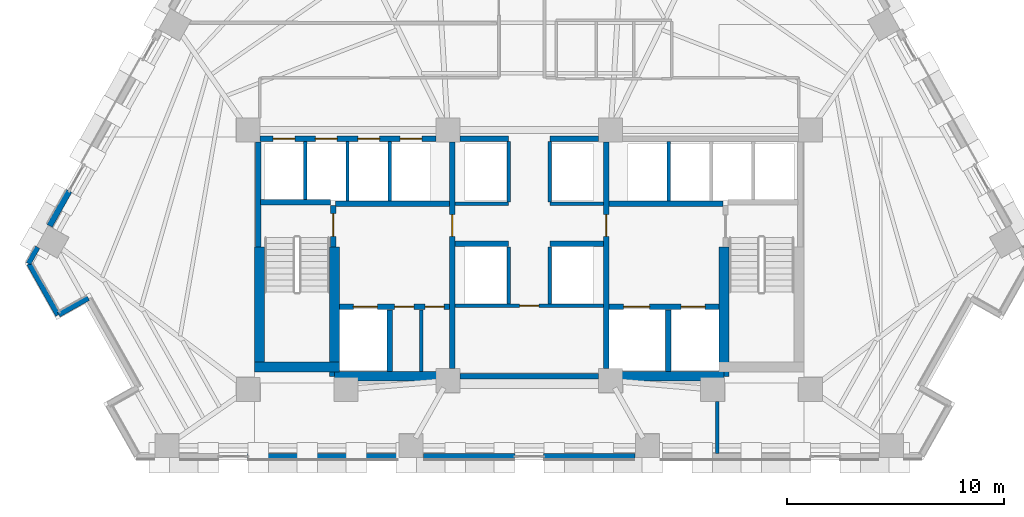
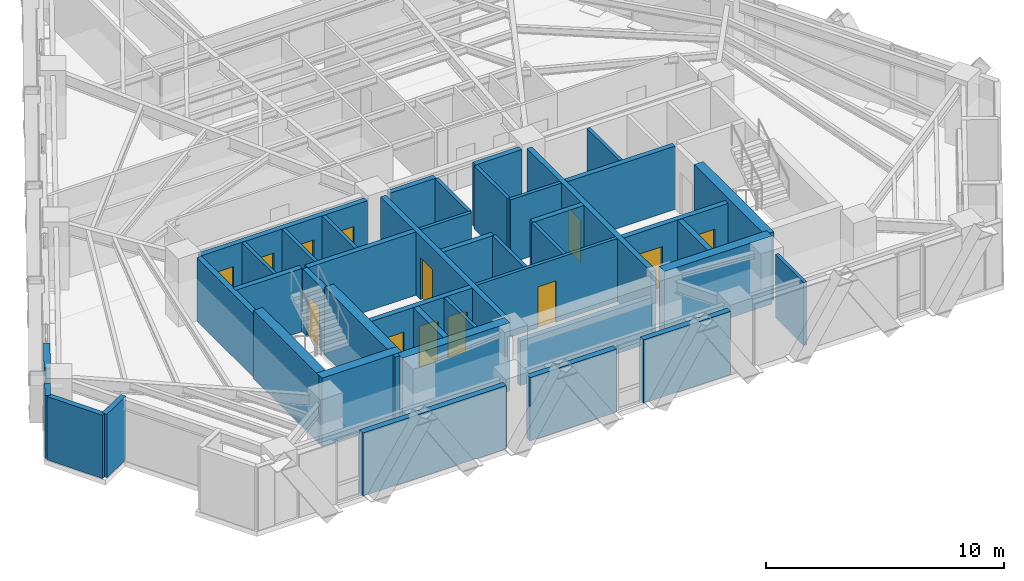
# One storey, part 7 of 13: 43 walls, 13 doors, 13 openings.
"""IFC4 building model written with IfcOpenShell, lengths in metres."""

import ifcopenshell
import ifcopenshell.guid

model = None  # the IFC model being written
_history = None  # IfcOwnerHistory: only IFC2X3 demands one
_inside = {}  # id of a spatial element -> (the spatial element, [elements in it])
_under = {}  # id of a project, library or spatial element -> (it, [spatial elements below it])
_declared = {}  # id of a project -> (the project, [libraries it declares])
_typed = {}  # id of a type object -> (the type object, [elements of that type])
_made_of = {}  # id of a material, layer set ... -> (it, [elements and type objects made of it])


def new_model(schema):
    """Start an empty IFC model of exactly this schema.

    Asked for "IFC4X3", IfcOpenShell would pick the latest addendum, in which some entities
    have other attributes; the version numbers below select the first issue.
    IFC2X3 requires an IfcOwnerHistory on every rooted entity: one is made here for all.
    """
    global model, _history
    if schema == "IFC4X3":
        model = ifcopenshell.file(schema_version=(4, 3, 0, 0))
    else:
        model = ifcopenshell.file(schema=schema)
    _inside.clear()
    _under.clear()
    _declared.clear()
    _typed.clear()
    _made_of.clear()
    _history = None
    if model.schema == "IFC2X3":
        org = make("IfcOrganization", Name="unknown")
        user = make(
            "IfcPersonAndOrganization",
            ThePerson=make("IfcPerson", FamilyName="unknown"),
            TheOrganization=org,
        )
        app = make(
            "IfcApplication",
            ApplicationDeveloper=org,
            Version="unknown",
            ApplicationFullName="unknown",
            ApplicationIdentifier="unknown",
        )
        _history = make(
            "IfcOwnerHistory",
            OwningUser=user,
            OwningApplication=app,
            ChangeAction="ADDED",
            CreationDate=0,
        )
    return model


def make(cls, **values):
    """One entity of the class cls with the attributes given. An attribute that is None is left unset."""
    return model.create_entity(
        cls, **{name: value for name, value in values.items() if value is not None}
    )


def rooted(cls, **values):
    """An entity with a GlobalId (a new one), such as an element, a storey or a relation."""
    return make(cls, GlobalId=ifcopenshell.guid.new(), OwnerHistory=_history, **values)


def si_unit(unit_type, name, prefix=None):
    """IfcSIUnit, for example si_unit("LENGTHUNIT", "METRE", prefix="MILLI")."""
    return make("IfcSIUnit", UnitType=unit_type, Prefix=prefix, Name=name)


def assignment(units):
    """IfcUnitAssignment: the units of a project."""
    return None if units is None else make("IfcUnitAssignment", Units=units)


def point(xyz):
    """IfcCartesianPoint."""
    return None if xyz is None else make("IfcCartesianPoint", Coordinates=xyz)


def direction(xyz):
    """IfcDirection."""
    return None if xyz is None else make("IfcDirection", DirectionRatios=xyz)


def frame(location, z_axis=None, x_axis=None):
    """IfcAxis2Placement3D, a coordinate frame: its origin and axes. An axis left out is left unset."""
    return make(
        "IfcAxis2Placement3D",
        Location=point(location),
        Axis=direction(z_axis),
        RefDirection=direction(x_axis),
    )


def frame_2d(location, x_axis=None):
    """IfcAxis2Placement2D, a coordinate frame in the plane: its origin and x axis."""
    return make(
        "IfcAxis2Placement2D", Location=point(location), RefDirection=direction(x_axis)
    )


def origin():
    """The frame at (0, 0, 0) with its axes left unset."""
    return frame((0.0, 0.0, 0.0))


def place(relative_to, where):
    """IfcLocalPlacement: puts the frame where relative to a parent placement (None: the world)."""
    return make(
        "IfcLocalPlacement", PlacementRelTo=relative_to, RelativePlacement=where
    )


def context(
    kind, dimensions, precision=None, world=None, true_north=None, identifier=None
):
    """IfcGeometricRepresentationContext, for example the 3D "Model" context."""
    return make(
        "IfcGeometricRepresentationContext",
        ContextIdentifier=identifier,
        ContextType=kind,
        CoordinateSpaceDimension=dimensions,
        Precision=precision,
        WorldCoordinateSystem=world,
        TrueNorth=true_north,
    )


def subcontext(parent, identifier, kind, view, scale=None):
    """IfcGeometricRepresentationSubContext, for example "Body" below "Model"."""
    return make(
        "IfcGeometricRepresentationSubContext",
        ContextIdentifier=identifier,
        ContextType=kind,
        ParentContext=parent,
        TargetScale=scale,
        TargetView=view,
    )


def project(units=None, contexts=None):
    """IfcProject with its units and contexts."""
    return rooted(
        "IfcProject",
        Name="project",
        RepresentationContexts=contexts,
        UnitsInContext=assignment(units),
    )


def spatial(cls, under=None, at=None, **own):
    """A site, building, storey or space (cls), placed at a placement, below another one or the project."""
    s = rooted(cls, ObjectPlacement=at, **own)
    if under is not None:
        _under.setdefault(under.id(), (under, []))[1].append(s)
    return s


def profile(cls, at=None, kind="AREA", **sizes):
    """A parametric profile (cls). Its sizes go by their IFC names, for example OverallWidth=200.0."""
    return make(cls, ProfileType=kind, Position=at, **sizes)


def rectangle(**sizes):
    """IfcRectangleProfileDef."""
    return profile("IfcRectangleProfileDef", **sizes)


def extrude(swept, where, along, depth):
    """IfcExtrudedAreaSolid: the profile swept, set in the frame where, extruded along a direction by depth."""
    return make(
        "IfcExtrudedAreaSolid",
        SweptArea=swept,
        Position=where,
        ExtrudedDirection=direction(along),
        Depth=depth,
    )


def shape(context_of_items, identifier, shape_type, items):
    """IfcShapeRepresentation: the items that make up one representation, for example the "Body"."""
    return make(
        "IfcShapeRepresentation",
        ContextOfItems=context_of_items,
        RepresentationIdentifier=identifier,
        RepresentationType=shape_type,
        Items=items,
    )


def material(Name=None, Category=None):
    """IfcMaterial."""
    return make("IfcMaterial", Name=Name, Category=Category)


def layer(
    of_material, thickness, ventilated=None, Name=None, Category=None, Priority=None
):
    """IfcMaterialLayer: one layer of a wall or slab, of a material (None: an air gap)."""
    return make(
        "IfcMaterialLayer",
        Material=of_material,
        LayerThickness=thickness,
        IsVentilated=ventilated,
        Name=Name,
        Category=Category,
        Priority=Priority,
    )


def layer_set(layers, Name=None):
    """IfcMaterialLayerSet."""
    return make("IfcMaterialLayerSet", MaterialLayers=layers, LayerSetName=Name)


def made_of(thing, what):
    """Note that an element or type object is made of a material, layer set ...; save() writes the relation."""
    if what is not None:
        _made_of.setdefault(what.id(), (what, []))[1].append(thing)
    return thing


def type_object(cls, material=None, **own):
    """A type object (cls), such as IfcWallType, which elements share."""
    return made_of(rooted(cls, **own), material)


def element(
    cls,
    number,
    at=None,
    inside=None,
    cuts=None,
    type_object=None,
    material=None,
    context=None,
    identifier="Body",
    shape_type=None,
    held_by="IfcProductDefinitionShape",
    body=None,
    shapes=None,
    **own,
):
    """One element of the class cls, such as IfcWall. Its Tag is "e" and its number.

    at: its placement. inside: the storey or other place that contains it. cuts: it is an
    opening in that element (IfcRelVoidsElement). A single representation is given by context,
    identifier, shape_type and body (its items); several are given by shapes. held_by: the class
    of the entity that holds the representations. save() writes the other relations.
    """
    e = rooted(cls, Tag="e%d" % number, ObjectPlacement=at, **own)
    if body is not None:
        shapes = [shape(context, identifier, shape_type, body)]
    if shapes is not None:
        e.Representation = make(held_by, Representations=shapes)
    if inside is not None:
        _inside.setdefault(inside.id(), (inside, []))[1].append(e)
    if cuts is not None:
        rooted(
            "IfcRelVoidsElement", RelatingBuildingElement=cuts, RelatedOpeningElement=e
        )
    if type_object is not None:
        _typed.setdefault(type_object.id(), (type_object, []))[1].append(e)
    return made_of(e, material)


def fill(opening, filler):
    """IfcRelFillsElement: the door or window that sits in an opening."""
    return rooted(
        "IfcRelFillsElement",
        RelatingOpeningElement=opening,
        RelatedBuildingElement=filler,
    )


def aggregate(whole, parts):
    """IfcRelAggregates: a whole, such as a stair, and the parts it consists of."""
    return rooted("IfcRelAggregates", RelatingObject=whole, RelatedObjects=parts)


def save(model, path):
    """Write the relations noted so far, then the file.

    IfcRelAggregates (storeys below a building ...), IfcRelContainedInSpatialStructure (elements
    in a storey), IfcRelDefinesByType, IfcRelAssociatesMaterial and IfcRelDeclares: one each for
    every whole, place, type object, material and project.
    """
    for whole, parts in _under.values():
        aggregate(whole, parts)
    for where, things in _inside.values():
        rooted(
            "IfcRelContainedInSpatialStructure",
            RelatedElements=things,
            RelatingStructure=where,
        )
    for kind, things in _typed.values():
        rooted("IfcRelDefinesByType", RelatedObjects=things, RelatingType=kind)
    for what, things in _made_of.values():
        rooted("IfcRelAssociatesMaterial", RelatedObjects=things, RelatingMaterial=what)
    for by, libraries in _declared.values():
        rooted("IfcRelDeclares", RelatingContext=by, RelatedDefinitions=libraries)
    model.write(path)


model = new_model("IFC4")

# Units and contexts
model_context = context("Model", 3, precision=1e-05, world=origin(), true_north=direction((0.0, 1.0)))
body_context = subcontext(model_context, "Body", "Model", "MODEL_VIEW")
ifc_project = project(units=[si_unit("LENGTHUNIT", "METRE"), si_unit("AREAUNIT", "SQUARE_METRE"), si_unit("VOLUMEUNIT", "CUBIC_METRE"), si_unit("PLANEANGLEUNIT", "RADIAN"), si_unit("MASSUNIT", "GRAM", prefix="KILO")], contexts=[model_context])

# Site, building, storey
site_placement = place(None, origin())
site = spatial("IfcSite", under=ifc_project, at=site_placement, CompositionType="ELEMENT")
building_placement = place(site_placement, origin())
building = spatial("IfcBuilding", under=site, at=building_placement, Name="Quenlor Broadcast Tower", CompositionType="ELEMENT")
storey_placement = place(building_placement, frame((0.0, 0.0, 83.60009765625)))
storey = spatial("IfcBuildingStorey", under=building, at=storey_placement, Name="L22", CompositionType="ELEMENT", Elevation=83.60009765625)

# Walls
ifc_material_1 = material(Name="Acoustic Double Stud Gypsum Partition", Category="other")
ifc_layer_1 = layer(ifc_material_1, 0.14990234375)
ifc_layer_set_1 = layer_set([ifc_layer_1], Name="Broadcast Studio Acoustic Partition 150")
wall_type_1 = type_object("IfcWallType", Name="Broadcast Studio Acoustic Partition 150", PredefinedType="PARTITIONING", material=ifc_layer_set_1)
wall_1_placement = place(storey_placement, frame((8.66650390625, -19.697998046875, 0.0), z_axis=(0.0, 0.0, 1.0), x_axis=(0.0, 1.0, 0.0)))
element("IfcWall", 1, at=wall_1_placement, inside=storey, type_object=wall_type_1, Name="L22 Interior Wall PW-DV-06", PredefinedType="PARTITIONING", context=body_context, shape_type="SweptSolid", body=[
    extrude(rectangle(XDim=2.39599609375, YDim=0.14990234375, at=frame_2d((1.197998046875, 0.0))), origin(), (0.0, 0.0, 1.0), 3.25),
])
ifc_material_2 = material(Name="Concrete C50/60", Category="concrete")
ifc_layer_2 = layer(ifc_material_2, 0.449951171875)
ifc_layer_set_2 = layer_set([ifc_layer_2], Name="Core Concrete C50/60 Shear Wall 450")
wall_type_2 = type_object("IfcWallType", Name="Core Concrete C50/60 Shear Wall 450", PredefinedType="SHEAR", material=ifc_layer_set_2)
wall_2_placement = place(storey_placement, frame((-12.64990234375, -15.72509765625, 0.0), z_axis=(0.0, 0.0, 1.0), x_axis=(1.0, 0.0, 0.0)))
element("IfcWall", 2, at=wall_2_placement, inside=storey, type_object=wall_type_2, Name="L22 Core Shear Wall WS-W1", PredefinedType="SHEAR", context=body_context, shape_type="SweptSolid", body=[
    extrude(rectangle(XDim=3.89990234375, YDim=0.449951171875, at=frame_2d((1.949951171875, 0.0))), origin(), (0.0, 0.0, 1.0), 3.5),
])
for number, where, z_axis, x_axis, name in (
    (3, (-8.97509765625, -16.14990234375, 0.0), (0.0, 0.0, 1.0), (1.0, 0.0, 0.0), "L22 Core Shear Wall WS-W2"),
    (4, (3.75, -16.14990234375, 0.0), (0.0, 0.0, 1.0), (1.0, 0.0, 0.0), "L22 Core Shear Wall WS-E1"),
):
    element("IfcWall", number, at=place(storey_placement, frame(where, z_axis=z_axis, x_axis=x_axis)), inside=storey, type_object=wall_type_2, Name=name, PredefinedType="SHEAR", context=body_context, shape_type="SweptSolid", body=[
        extrude(rectangle(XDim=5.22509765625, YDim=0.449951171875, at=frame_2d((2.612548828125, 0.0))), origin(), (0.0, 0.0, 1.0), 3.5),
    ])
wall_3_placement = place(storey_placement, frame((-12.425048828125, -15.72509765625, 0.0), z_axis=(0.0, 0.0, 1.0), x_axis=(0.0, 1.0, 0.0)))
element("IfcWall", 5, at=wall_3_placement, inside=storey, type_object=wall_type_2, Name="L22 Core Shear Wall WF-W", PredefinedType="SHEAR", context=body_context, shape_type="SweptSolid", body=[
    extrude(rectangle(XDim=5.525146484375, YDim=0.449951171875, at=frame_2d((2.7626953125, 0.0))), origin(), (0.0, 0.0, 1.0), 3.5),
])
for number, where, z_axis, x_axis, name in (
    (6, (-8.97509765625, -16.14990234375, 0.0), (0.0, 0.0, 1.0), (0.0, 1.0, 0.0), "L22 Core Shear Wall WI-W"),
    (7, (8.97509765625, -16.14990234375, 0.0), (0.0, 0.0, 1.0), (0.0, 1.0, 0.0), "L22 Core Shear Wall WI-E"),
):
    element("IfcWall", number, at=place(storey_placement, frame(where, z_axis=z_axis, x_axis=x_axis)), inside=storey, type_object=wall_type_2, Name=name, PredefinedType="SHEAR", context=body_context, shape_type="SweptSolid", body=[
        extrude(rectangle(XDim=5.949951171875, YDim=0.449951171875, at=frame_2d((2.97509765625, 0.0))), origin(), (0.0, 0.0, 1.0), 3.5),
    ])

# Wall, opening, door
ifc_material_3 = material(Name="Concrete C40/50", Category="concrete")
ifc_layer_3 = layer(ifc_material_3, 0.25)
ifc_layer_set_3 = layer_set([ifc_layer_3], Name="Fire Rated Concrete C40/50 Core Wall 250")
wall_type_3 = type_object("IfcWallType", Name="Fire Rated Concrete C40/50 Core Wall 250", PredefinedType="PARTITIONING", material=ifc_layer_set_3)
wall_4_placement = place(storey_placement, frame((-9.0400390625, -10.179931640625, 0.0), z_axis=(0.0, 0.0, 1.0), x_axis=(0.0, 1.0, 0.0)))
wall_4 = element("IfcWall", 8, at=wall_4_placement, inside=storey, type_object=wall_type_3, Name="L22 Interior Wall CW-ST1-DR", PredefinedType="PARTITIONING", context=body_context, shape_type="SweptSolid", body=[
    extrude(rectangle(XDim=1.89990234375, YDim=0.25, at=frame_2d((0.949951171875, 0.0))), origin(), (0.0, 0.0, 1.0), 3.25),
])
opening_1_placement = place(wall_4_placement, frame((0.47998046875, 0.0, 0.0)))
opening_1 = element("IfcOpeningElement", 9, at=opening_1_placement, cuts=wall_4, Name="Opening FD-1", PredefinedType="OPENING", context=body_context, shape_type="SweptSolid", body=[
    extrude(rectangle(XDim=1.050048828125, YDim=2.14990234375, at=frame_2d((0.52490234375, 1.074951171875))), frame((0.0, 0.135009765625, 0.0), z_axis=(0.0, -1.0, 0.0), x_axis=(1.0, 0.0, 0.0)), (0.0, 0.0, 1.0), 0.27001953125),
])
ifc_material_4 = material(Name="Fire Rated Steel Door Leaf", Category="steel")
door_type_1 = type_object("IfcDoorType", Name="Fire Isolated Stair Door 1050x2150", OperationType="NOTDEFINED", PredefinedType="DOOR", material=ifc_material_4)
door_1_placement = place(opening_1_placement, origin())
door_1 = element("IfcDoor", 10, at=door_1_placement, inside=storey, type_object=door_type_1, Name="L22 Door DR-ST1", OperationType="SINGLE_SWING_LEFT", OverallHeight=2.14990234375, OverallWidth=1.050048828125, PredefinedType="DOOR", context=body_context, shape_type="SweptSolid", body=[
    extrude(rectangle(XDim=1.050048828125, YDim=2.14990234375, at=frame_2d((0.52490234375, 1.074951171875))), frame((0.0, 0.02490234375, 0.0), z_axis=(0.0, -1.0, 0.0), x_axis=(1.0, 0.0, 0.0)), (0.0, 0.0, 1.0), 0.050048828125),
])
fill(opening_1, door_1)

# Walls
wall_5_placement = place(storey_placement, frame((-12.3798828125, -8.1201171875, 0.0), z_axis=(0.0, 0.0, 1.0), x_axis=(1.0, 0.0, 0.0)))
element("IfcWall", 11, at=wall_5_placement, inside=storey, type_object=wall_type_3, Name="L22 Interior Wall CW-ST1-N", PredefinedType="PARTITIONING", context=body_context, shape_type="SweptSolid", body=[
    extrude(rectangle(XDim=3.219970703125, YDim=0.25, at=frame_2d((1.60986328125, 0.0))), origin(), (0.0, 0.0, 1.0), 3.25),
])
wall_6_placement = place(storey_placement, frame((-12.47998046875, -10.179931640625, 0.0), z_axis=(0.0, 0.0, 1.0), x_axis=(0.0, 1.0, 0.0)))
element("IfcWall", 12, at=wall_6_placement, inside=storey, type_object=wall_type_3, Name="L22 Interior Wall CW-ST1-W2", PredefinedType="PARTITIONING", context=body_context, shape_type="SweptSolid", body=[
    extrude(rectangle(XDim=4.827880859375, YDim=0.25, at=frame_2d((2.4140625, 0.0))), origin(), (0.0, 0.0, 1.0), 3.25),
])

# Wall, openings, doors
wall_7_placement = place(storey_placement, frame((-8.748046875, -12.949951171875, 0.0), z_axis=(0.0, 0.0, 1.0), x_axis=(1.0, 0.0, 0.0)))
wall_7 = element("IfcWall", 13, at=wall_7_placement, inside=storey, type_object=wall_type_3, Name="L22 Interior Wall CW-FFW-S", PredefinedType="PARTITIONING", context=body_context, shape_type="SweptSolid", body=[
    extrude(rectangle(XDim=5.068115234375, YDim=0.25, at=frame_2d((2.5341796875, 0.0))), origin(), (0.0, 0.0, 1.0), 3.25),
])
opening_2_placement = place(wall_7_placement, frame((0.64794921875, 0.0, 0.0)))
opening_2 = element("IfcOpeningElement", 14, at=opening_2_placement, cuts=wall_7, Name="Opening LD-FFL-1", PredefinedType="OPENING", context=body_context, shape_type="SweptSolid", body=[
    extrude(rectangle(XDim=1.10009765625, YDim=2.14990234375, at=frame_2d((0.550048828125, 1.074951171875))), frame((0.0, 0.135009765625, 0.0), z_axis=(0.0, -1.0, 0.0), x_axis=(1.0, 0.0, 0.0)), (0.0, 0.0, 1.0), 0.27001953125),
])
opening_3_placement = place(wall_7_placement, frame((2.548095703125, 0.0, 0.0)))
opening_3 = element("IfcOpeningElement", 15, at=opening_3_placement, cuts=wall_7, Name="Opening TD-1", PredefinedType="OPENING", context=body_context, shape_type="SweptSolid", body=[
    extrude(rectangle(XDim=0.8798828125, YDim=2.10009765625, at=frame_2d((0.43994140625, 1.050048828125))), frame((0.0, 0.135009765625, 0.0), z_axis=(0.0, -1.0, 0.0), x_axis=(1.0, 0.0, 0.0)), (0.0, 0.0, 1.0), 0.27001953125),
])
opening_4_placement = place(wall_7_placement, frame((3.947998046875, 0.0, 0.0)))
opening_4 = element("IfcOpeningElement", 16, at=opening_4_placement, cuts=wall_7, Name="Opening TD-1", PredefinedType="OPENING", context=body_context, shape_type="SweptSolid", body=[
    extrude(rectangle(XDim=0.8798828125, YDim=2.10009765625, at=frame_2d((0.43994140625, 1.050048828125))), frame((0.0, 0.135009765625, 0.0), z_axis=(0.0, -1.0, 0.0), x_axis=(1.0, 0.0, 0.0)), (0.0, 0.0, 1.0), 0.27001953125),
])
ifc_material_5 = material(Name="Brushed Stainless Steel", Category="steel")
door_type_2 = type_object("IfcDoorType", Name="Emergency Lift Sliding Landing Door 1100x2150", OperationType="NOTDEFINED", PredefinedType="DOOR", material=ifc_material_5)
door_2_placement = place(opening_2_placement, origin())
door_2 = element("IfcDoor", 17, at=door_2_placement, inside=storey, type_object=door_type_2, Name="L22 Door LD-FFL-1", OperationType="SLIDING_TO_LEFT", OverallHeight=2.14990234375, OverallWidth=1.10009765625, PredefinedType="DOOR", context=body_context, shape_type="SweptSolid", body=[
    extrude(rectangle(XDim=1.10009765625, YDim=2.14990234375, at=frame_2d((0.550048828125, 1.074951171875))), frame((0.0, 0.02490234375, 0.0), z_axis=(0.0, -1.0, 0.0), x_axis=(1.0, 0.0, 0.0)), (0.0, 0.0, 1.0), 0.050048828125),
])
fill(opening_2, door_2)
ifc_material_6 = material(Name="Fire Rated Steel Access Panel", Category="steel")
door_type_3 = type_object("IfcDoorType", Name="Riser Shaft Rated Access Trapdoor 880x2100", OperationType="NOTDEFINED", PredefinedType="TRAPDOOR", material=ifc_material_6)
door_3_placement = place(opening_3_placement, origin())
door_3 = element("IfcDoor", 18, at=door_3_placement, inside=storey, type_object=door_type_3, Name="L22 Door DR-ELR", OperationType="SINGLE_SWING_LEFT", OverallHeight=2.10009765625, OverallWidth=0.8798828125, PredefinedType="TRAPDOOR", context=body_context, shape_type="SweptSolid", body=[
    extrude(rectangle(XDim=0.8798828125, YDim=2.10009765625, at=frame_2d((0.43994140625, 1.050048828125))), frame((0.0, 0.02490234375, 0.0), z_axis=(0.0, -1.0, 0.0), x_axis=(1.0, 0.0, 0.0)), (0.0, 0.0, 1.0), 0.050048828125),
])
fill(opening_3, door_3)
door_4_placement = place(opening_4_placement, origin())
door_4 = element("IfcDoor", 19, at=door_4_placement, inside=storey, type_object=door_type_3, Name="L22 Door DR-CMR", OperationType="SINGLE_SWING_RIGHT", OverallHeight=2.10009765625, OverallWidth=0.8798828125, PredefinedType="TRAPDOOR", context=body_context, shape_type="SweptSolid", body=[
    extrude(rectangle(XDim=0.8798828125, YDim=2.10009765625, at=frame_2d((0.43994140625, 1.050048828125))), frame((0.0, 0.02490234375, 0.0), z_axis=(0.0, -1.0, 0.0), x_axis=(1.0, 0.0, 0.0)), (0.0, 0.0, 1.0), 0.050048828125),
])
fill(opening_4, door_4)

wall_8_placement = place(storey_placement, frame((3.679931640625, -12.949951171875, 0.0), z_axis=(0.0, 0.0, 1.0), x_axis=(1.0, 0.0, 0.0)))
wall_8 = element("IfcWall", 20, at=wall_8_placement, inside=storey, type_object=wall_type_3, Name="L22 Interior Wall CW-FFE-S", PredefinedType="PARTITIONING", context=body_context, shape_type="SweptSolid", body=[
    extrude(rectangle(XDim=5.068115234375, YDim=0.25, at=frame_2d((2.5341796875, 0.0))), origin(), (0.0, 0.0, 1.0), 3.25),
])
opening_5_placement = place(wall_8_placement, frame((3.320068359375, 0.0, 0.0)))
opening_5 = element("IfcOpeningElement", 21, at=opening_5_placement, cuts=wall_8, Name="Opening LD-FFL-2", PredefinedType="OPENING", context=body_context, shape_type="SweptSolid", body=[
    extrude(rectangle(XDim=1.10009765625, YDim=2.14990234375, at=frame_2d((0.550048828125, 1.074951171875))), frame((0.0, 0.135009765625, 0.0), z_axis=(0.0, -1.0, 0.0), x_axis=(1.0, 0.0, 0.0)), (0.0, 0.0, 1.0), 0.27001953125),
])
opening_6_placement = place(wall_8_placement, frame((0.669921875, 0.0, 0.0)))
opening_6 = element("IfcOpeningElement", 22, at=opening_6_placement, cuts=wall_8, Name="Opening LD-SVL-1", PredefinedType="OPENING", context=body_context, shape_type="SweptSolid", body=[
    extrude(rectangle(XDim=1.199951171875, YDim=2.14990234375, at=frame_2d((0.60009765625, 1.074951171875))), frame((0.0, 0.135009765625, 0.0), z_axis=(0.0, -1.0, 0.0), x_axis=(1.0, 0.0, 0.0)), (0.0, 0.0, 1.0), 0.27001953125),
])
door_5_placement = place(opening_5_placement, origin())
door_5 = element("IfcDoor", 23, at=door_5_placement, inside=storey, type_object=door_type_2, Name="L22 Door LD-FFL-2", OperationType="SLIDING_TO_RIGHT", OverallHeight=2.14990234375, OverallWidth=1.10009765625, PredefinedType="DOOR", context=body_context, shape_type="SweptSolid", body=[
    extrude(rectangle(XDim=1.10009765625, YDim=2.14990234375, at=frame_2d((0.550048828125, 1.074951171875))), frame((0.0, 0.02490234375, 0.0), z_axis=(0.0, -1.0, 0.0), x_axis=(1.0, 0.0, 0.0)), (0.0, 0.0, 1.0), 0.050048828125),
])
fill(opening_5, door_5)
ifc_material_7 = material(Name="Brushed Stainless Steel", Category="steel")
door_type_4 = type_object("IfcDoorType", Name="Goods Lift Sliding Landing Door 1200x2150", OperationType="NOTDEFINED", PredefinedType="DOOR", material=ifc_material_7)
door_6_placement = place(opening_6_placement, origin())
door_6 = element("IfcDoor", 24, at=door_6_placement, inside=storey, type_object=door_type_4, Name="L22 Door LD-SVL-1", OperationType="SLIDING_TO_LEFT", OverallHeight=2.14990234375, OverallWidth=1.199951171875, PredefinedType="DOOR", context=body_context, shape_type="SweptSolid", body=[
    extrude(rectangle(XDim=1.199951171875, YDim=2.14990234375, at=frame_2d((0.60009765625, 1.074951171875))), frame((0.0, 0.02490234375, 0.0), z_axis=(0.0, -1.0, 0.0), x_axis=(1.0, 0.0, 0.0)), (0.0, 0.0, 1.0), 0.050048828125),
])
fill(opening_6, door_6)

# Walls
for number, where, z_axis, x_axis, name in (
    (25, (-6.419921875, -15.919921875, 0.0), (0.0, 0.0, 1.0), (0.0, 1.0, 0.0), "L22 Interior Wall CW-FF1-E"),
    (26, (6.39990234375, -15.919921875, 0.0), (0.0, 0.0, 1.0), (0.0, 1.0, 0.0), "L22 Interior Wall CW-SV1-E"),
):
    element("IfcWall", number, at=place(storey_placement, frame(where, z_axis=z_axis, x_axis=x_axis)), inside=storey, type_object=wall_type_3, Name=name, PredefinedType="PARTITIONING", context=body_context, shape_type="SweptSolid", body=[
        extrude(rectangle(XDim=2.829833984375, YDim=0.25, at=frame_2d((1.4150390625, 0.0))), origin(), (0.0, 0.0, 1.0), 3.25),
    ])
for number, where, z_axis, x_axis, name in (
    (27, (-8.919921875, -8.199951171875, 0.0), (0.0, 0.0, 1.0), (1.0, 0.0, 0.0), "L22 Interior Wall CW-FFW-N"),
    (28, (3.679931640625, -8.199951171875, 0.0), (0.0, 0.0, 1.0), (1.0, 0.0, 0.0), "L22 Interior Wall CW-FFE-N"),
):
    element("IfcWall", number, at=place(storey_placement, frame(where, z_axis=z_axis, x_axis=x_axis)), inside=storey, type_object=wall_type_3, Name=name, PredefinedType="PARTITIONING", context=body_context, shape_type="SweptSolid", body=[
        extrude(rectangle(XDim=5.239990234375, YDim=0.25, at=frame_2d((2.6201171875, 0.0))), origin(), (0.0, 0.0, 1.0), 3.25),
    ])

# Wall, opening, door
wall_9_placement = place(storey_placement, frame((-3.550048828125, -15.798095703125, 0.0), z_axis=(0.0, 0.0, 1.0), x_axis=(0.0, 1.0, 0.0)))
wall_9 = element("IfcWall", 29, at=wall_9_placement, inside=storey, type_object=wall_type_3, Name="L22 Interior Wall CW-FFW-E", PredefinedType="PARTITIONING", context=body_context, shape_type="SweptSolid", body=[
    extrude(rectangle(XDim=10.446044921875, YDim=0.25, at=frame_2d((5.22314453125, 0.0))), origin(), (0.0, 0.0, 1.0), 3.25),
])
opening_7_placement = place(wall_9_placement, frame((6.097900390625, 0.0, 0.0)))
opening_7 = element("IfcOpeningElement", 30, at=opening_7_placement, cuts=wall_9, Name="Opening FD-2", PredefinedType="OPENING", context=body_context, shape_type="SweptSolid", body=[
    extrude(rectangle(XDim=1.0, YDim=2.14990234375, at=frame_2d((0.5, 1.074951171875))), frame((0.0, 0.135009765625, 0.0), z_axis=(0.0, -1.0, 0.0), x_axis=(1.0, 0.0, 0.0)), (0.0, 0.0, 1.0), 0.27001953125),
])
ifc_material_8 = material(Name="Fire Rated Glazed Steel Door", Category="steel")
door_type_5 = type_object("IfcDoorType", Name="Firefighting Lobby Smoke Door 1000x2150", OperationType="NOTDEFINED", PredefinedType="DOOR", material=ifc_material_8)
door_7_placement = place(opening_7_placement, origin())
door_7 = element("IfcDoor", 31, at=door_7_placement, inside=storey, type_object=door_type_5, Name="L22 Door DR-FFLW", OperationType="SINGLE_SWING_RIGHT", OverallHeight=2.14990234375, OverallWidth=1.0, PredefinedType="DOOR", context=body_context, shape_type="SweptSolid", body=[
    extrude(rectangle(XDim=1.0, YDim=2.14990234375, at=frame_2d((0.5, 1.074951171875))), frame((0.0, 0.02490234375, 0.0), z_axis=(0.0, -1.0, 0.0), x_axis=(1.0, 0.0, 0.0)), (0.0, 0.0, 1.0), 0.050048828125),
])
fill(opening_7, door_7)

wall_10_placement = place(storey_placement, frame((3.550048828125, -15.798095703125, 0.0), z_axis=(0.0, 0.0, 1.0), x_axis=(0.0, 1.0, 0.0)))
wall_10 = element("IfcWall", 32, at=wall_10_placement, inside=storey, type_object=wall_type_3, Name="L22 Interior Wall CW-FFE-W", PredefinedType="PARTITIONING", context=body_context, shape_type="SweptSolid", body=[
    extrude(rectangle(XDim=10.446044921875, YDim=0.25, at=frame_2d((5.22314453125, 0.0))), origin(), (0.0, 0.0, 1.0), 3.25),
])
opening_8_placement = place(wall_10_placement, frame((6.097900390625, 0.0, 0.0)))
opening_8 = element("IfcOpeningElement", 33, at=opening_8_placement, cuts=wall_10, Name="Opening FD-2", PredefinedType="OPENING", context=body_context, shape_type="SweptSolid", body=[
    extrude(rectangle(XDim=1.0, YDim=2.14990234375, at=frame_2d((0.5, 1.074951171875))), frame((0.0, 0.135009765625, 0.0), z_axis=(0.0, -1.0, 0.0), x_axis=(1.0, 0.0, 0.0)), (0.0, 0.0, 1.0), 0.27001953125),
])
door_8_placement = place(opening_8_placement, origin())
door_8 = element("IfcDoor", 34, at=door_8_placement, inside=storey, type_object=door_type_5, Name="L22 Door DR-FFLE", OperationType="SINGLE_SWING_LEFT", OverallHeight=2.14990234375, OverallWidth=1.0, PredefinedType="DOOR", context=body_context, shape_type="SweptSolid", body=[
    extrude(rectangle(XDim=1.0, YDim=2.14990234375, at=frame_2d((0.5, 1.074951171875))), frame((0.0, 0.02490234375, 0.0), z_axis=(0.0, -1.0, 0.0), x_axis=(1.0, 0.0, 0.0)), (0.0, 0.0, 1.0), 0.050048828125),
])
fill(opening_8, door_8)

# Wall, openings, doors
wall_11_placement = place(storey_placement, frame((-12.39794921875, -5.199951171875, 0.0), z_axis=(0.0, 0.0, 1.0), x_axis=(1.0, 0.0, 0.0)))
wall_11 = element("IfcWall", 35, at=wall_11_placement, inside=storey, type_object=wall_type_3, Name="L22 Interior Wall CW-N-W", PredefinedType="PARTITIONING", context=body_context, shape_type="SweptSolid", body=[
    extrude(rectangle(XDim=8.095947265625, YDim=0.25, at=frame_2d((4.0478515625, 0.0))), origin(), (0.0, 0.0, 1.0), 3.25),
])
opening_9_placement = place(wall_11_placement, frame((0.597900390625, 0.0, 0.0)))
opening_9 = element("IfcOpeningElement", 36, at=opening_9_placement, cuts=wall_11, Name="Opening LD-PL-L1", PredefinedType="OPENING", context=body_context, shape_type="SweptSolid", body=[
    extrude(rectangle(XDim=1.0, YDim=2.14990234375, at=frame_2d((0.5, 1.074951171875))), frame((0.0, 0.135009765625, 0.0), z_axis=(0.0, -1.0, 0.0), x_axis=(1.0, 0.0, 0.0)), (0.0, 0.0, 1.0), 0.27001953125),
])
opening_10_placement = place(wall_11_placement, frame((2.548095703125, 0.0, 0.0)))
opening_10 = element("IfcOpeningElement", 37, at=opening_10_placement, cuts=wall_11, Name="Opening LD-PL-L2", PredefinedType="OPENING", context=body_context, shape_type="SweptSolid", body=[
    extrude(rectangle(XDim=1.0, YDim=2.14990234375, at=frame_2d((0.5, 1.074951171875))), frame((0.0, 0.135009765625, 0.0), z_axis=(0.0, -1.0, 0.0), x_axis=(1.0, 0.0, 0.0)), (0.0, 0.0, 1.0), 0.27001953125),
])
opening_11_placement = place(wall_11_placement, frame((4.498046875, 0.0, 0.0)))
opening_11 = element("IfcOpeningElement", 38, at=opening_11_placement, cuts=wall_11, Name="Opening LD-PL-L3", PredefinedType="OPENING", context=body_context, shape_type="SweptSolid", body=[
    extrude(rectangle(XDim=1.0, YDim=2.14990234375, at=frame_2d((0.5, 1.074951171875))), frame((0.0, 0.135009765625, 0.0), z_axis=(0.0, -1.0, 0.0), x_axis=(1.0, 0.0, 0.0)), (0.0, 0.0, 1.0), 0.27001953125),
])
opening_12_placement = place(wall_11_placement, frame((6.447998046875, 0.0, 0.0)))
opening_12 = element("IfcOpeningElement", 39, at=opening_12_placement, cuts=wall_11, Name="Opening LD-PL-L4", PredefinedType="OPENING", context=body_context, shape_type="SweptSolid", body=[
    extrude(rectangle(XDim=1.0, YDim=2.14990234375, at=frame_2d((0.5, 1.074951171875))), frame((0.0, 0.135009765625, 0.0), z_axis=(0.0, -1.0, 0.0), x_axis=(1.0, 0.0, 0.0)), (0.0, 0.0, 1.0), 0.27001953125),
])
ifc_material_9 = material(Name="Brushed Stainless Steel", Category="steel")
door_type_6 = type_object("IfcDoorType", Name="Passenger Lift Sliding Landing Door 1000x2150", OperationType="NOTDEFINED", PredefinedType="DOOR", material=ifc_material_9)
door_9_placement = place(opening_9_placement, origin())
door_9 = element("IfcDoor", 40, at=door_9_placement, inside=storey, type_object=door_type_6, Name="L22 Door LD-PL-L1", OperationType="SLIDING_TO_LEFT", OverallHeight=2.14990234375, OverallWidth=1.0, PredefinedType="DOOR", context=body_context, shape_type="SweptSolid", body=[
    extrude(rectangle(XDim=1.0, YDim=2.14990234375, at=frame_2d((0.5, 1.074951171875))), frame((0.0, 0.02490234375, 0.0), z_axis=(0.0, -1.0, 0.0), x_axis=(1.0, 0.0, 0.0)), (0.0, 0.0, 1.0), 0.050048828125),
])
fill(opening_9, door_9)
door_10_placement = place(opening_10_placement, origin())
door_10 = element("IfcDoor", 41, at=door_10_placement, inside=storey, type_object=door_type_6, Name="L22 Door LD-PL-L2", OperationType="SLIDING_TO_LEFT", OverallHeight=2.14990234375, OverallWidth=1.0, PredefinedType="DOOR", context=body_context, shape_type="SweptSolid", body=[
    extrude(rectangle(XDim=1.0, YDim=2.14990234375, at=frame_2d((0.5, 1.074951171875))), frame((0.0, 0.02490234375, 0.0), z_axis=(0.0, -1.0, 0.0), x_axis=(1.0, 0.0, 0.0)), (0.0, 0.0, 1.0), 0.050048828125),
])
fill(opening_10, door_10)
door_11_placement = place(opening_11_placement, origin())
door_11 = element("IfcDoor", 42, at=door_11_placement, inside=storey, type_object=door_type_6, Name="L22 Door LD-PL-L3", OperationType="SLIDING_TO_LEFT", OverallHeight=2.14990234375, OverallWidth=1.0, PredefinedType="DOOR", context=body_context, shape_type="SweptSolid", body=[
    extrude(rectangle(XDim=1.0, YDim=2.14990234375, at=frame_2d((0.5, 1.074951171875))), frame((0.0, 0.02490234375, 0.0), z_axis=(0.0, -1.0, 0.0), x_axis=(1.0, 0.0, 0.0)), (0.0, 0.0, 1.0), 0.050048828125),
])
fill(opening_11, door_11)
door_12_placement = place(opening_12_placement, origin())
door_12 = element("IfcDoor", 43, at=door_12_placement, inside=storey, type_object=door_type_6, Name="L22 Door LD-PL-L4", OperationType="SLIDING_TO_LEFT", OverallHeight=2.14990234375, OverallWidth=1.0, PredefinedType="DOOR", context=body_context, shape_type="SweptSolid", body=[
    extrude(rectangle(XDim=1.0, YDim=2.14990234375, at=frame_2d((0.5, 1.074951171875))), frame((0.0, 0.02490234375, 0.0), z_axis=(0.0, -1.0, 0.0), x_axis=(1.0, 0.0, 0.0)), (0.0, 0.0, 1.0), 0.050048828125),
])
fill(opening_12, door_12)

# Walls
for number, where, z_axis, x_axis, name in (
    (44, (-3.197998046875, -5.199951171875, 0.0), (0.0, 0.0, 1.0), (1.0, 0.0, 0.0), "L22 Interior Wall CW-N-M1"),
    (45, (0.949951171875, -5.199951171875, 0.0), (0.0, 0.0, 1.0), (1.0, 0.0, 0.0), "L22 Interior Wall CW-N-M2"),
):
    element("IfcWall", number, at=place(storey_placement, frame(where, z_axis=z_axis, x_axis=x_axis)), inside=storey, type_object=wall_type_3, Name=name, PredefinedType="PARTITIONING", context=body_context, shape_type="SweptSolid", body=[
        extrude(rectangle(XDim=2.248046875, YDim=0.25, at=frame_2d((1.1240234375, 0.0))), origin(), (0.0, 0.0, 1.0), 3.25),
    ])
wall_12_placement = place(storey_placement, frame((-3.197998046875, -16.14990234375, 0.0), z_axis=(0.0, 0.0, 1.0), x_axis=(1.0, 0.0, 0.0)))
element("IfcWall", 46, at=wall_12_placement, inside=storey, type_object=wall_type_3, Name="L22 Interior Wall CW-MS-S", PredefinedType="PARTITIONING", context=body_context, shape_type="SweptSolid", body=[
    extrude(rectangle(XDim=6.39599609375, YDim=0.25, at=frame_2d((3.197998046875, 0.0))), origin(), (0.0, 0.0, 1.0), 2.2998046875),
])
for number, where, z_axis, x_axis, name in (
    (47, (-3.419921875, -10.050048828125, 0.0), (0.0, 0.0, 1.0), (1.0, 0.0, 0.0), "L22 Interior Wall CW-MS-N1"),
    (48, (0.949951171875, -10.050048828125, 0.0), (0.0, 0.0, 1.0), (1.0, 0.0, 0.0), "L22 Interior Wall CW-MS-N2"),
):
    element("IfcWall", number, at=place(storey_placement, frame(where, z_axis=z_axis, x_axis=x_axis)), inside=storey, type_object=wall_type_3, Name=name, PredefinedType="PARTITIONING", context=body_context, shape_type="SweptSolid", body=[
        extrude(rectangle(XDim=2.469970703125, YDim=0.25, at=frame_2d((1.23486328125, 0.0))), origin(), (0.0, 0.0, 1.0), 3.25),
    ])
ifc_material_10 = material(Name="Gypsum Fireboard Partition", Category="other")
ifc_layer_4 = layer(ifc_material_10, 0.159912109375)
ifc_layer_set_4 = layer_set([ifc_layer_4], Name="Fire Rated Shaft and Corridor Partition 160")
wall_type_4 = type_object("IfcWallType", Name="Fire Rated Shaft and Corridor Partition 160", PredefinedType="PARTITIONING", material=ifc_layer_set_4)
wall_13_placement = place(storey_placement, frame((-4.97998046875, -15.919921875, 0.0), z_axis=(0.0, 0.0, 1.0), x_axis=(0.0, 1.0, 0.0)))
element("IfcWall", 49, at=wall_13_placement, inside=storey, type_object=wall_type_4, Name="L22 Interior Wall CW-ELR-E", PredefinedType="PARTITIONING", context=body_context, shape_type="SweptSolid", body=[
    extrude(rectangle(XDim=2.829833984375, YDim=0.159912109375, at=frame_2d((1.4150390625, 0.0))), origin(), (0.0, 0.0, 1.0), 3.25),
])
wall_14_placement = place(storey_placement, frame((-10.324951171875, -7.992919921875, 0.0), z_axis=(0.0, 0.0, 1.0), x_axis=(0.0, 1.0, 0.0)))
element("IfcWall", 50, at=wall_14_placement, inside=storey, type_object=wall_type_4, Name="L22 Interior Wall CW-PLL-D1", PredefinedType="PARTITIONING", context=body_context, shape_type="SweptSolid", body=[
    extrude(rectangle(XDim=2.65283203125, YDim=0.159912109375, at=frame_2d((1.326416015625, 0.0))), origin(), (0.0, 0.0, 1.0), 3.25),
])
for number, where, z_axis, x_axis, name in (
    (51, (-8.375, -8.072998046875, 0.0), (0.0, 0.0, 1.0), (0.0, 1.0, 0.0), "L22 Interior Wall CW-PLL-D2"),
    (52, (-6.425048828125, -8.072998046875, 0.0), (0.0, 0.0, 1.0), (0.0, 1.0, 0.0), "L22 Interior Wall CW-PLL-D3"),
    (53, (6.425048828125, -8.072998046875, 0.0), (0.0, 0.0, 1.0), (0.0, 1.0, 0.0), "L22 Interior Wall CW-PLH-D1"),
):
    element("IfcWall", number, at=place(storey_placement, frame(where, z_axis=z_axis, x_axis=x_axis)), inside=storey, type_object=wall_type_4, Name=name, PredefinedType="PARTITIONING", context=body_context, shape_type="SweptSolid", body=[
        extrude(rectangle(XDim=2.73291015625, YDim=0.159912109375, at=frame_2d((1.366455078125, 0.0))), origin(), (0.0, 0.0, 1.0), 3.25),
    ])
for number, where, z_axis, x_axis, name in (
    (54, (-0.949951171875, -8.1201171875, 0.0), (0.0, 0.0, 1.0), (0.0, 1.0, 0.0), "L22 Interior Wall CW-CCRP-W"),
    (55, (0.949951171875, -8.1201171875, 0.0), (0.0, 0.0, 1.0), (0.0, 1.0, 0.0), "L22 Interior Wall CW-CCRP-E"),
):
    element("IfcWall", number, at=place(storey_placement, frame(where, z_axis=z_axis, x_axis=x_axis)), inside=storey, type_object=wall_type_4, Name=name, PredefinedType="PARTITIONING", context=body_context, shape_type="SweptSolid", body=[
        extrude(rectangle(XDim=2.780029296875, YDim=0.159912109375, at=frame_2d((1.39013671875, 0.0))), origin(), (0.0, 0.0, 1.0), 3.25),
    ])
for number, where, z_axis, x_axis, name in (
    (56, (-3.419921875, -8.199951171875, 0.0), (0.0, 0.0, 1.0), (1.0, 0.0, 0.0), "L22 Interior Wall CW-M-BACK1"),
    (57, (0.949951171875, -8.199951171875, 0.0), (0.0, 0.0, 1.0), (1.0, 0.0, 0.0), "L22 Interior Wall CW-M-BACK2"),
):
    element("IfcWall", number, at=place(storey_placement, frame(where, z_axis=z_axis, x_axis=x_axis)), inside=storey, type_object=wall_type_4, Name=name, PredefinedType="PARTITIONING", context=body_context, shape_type="SweptSolid", body=[
        extrude(rectangle(XDim=2.469970703125, YDim=0.159912109375, at=frame_2d((1.23486328125, 0.0))), origin(), (0.0, 0.0, 1.0), 3.25),
    ])

# Wall, opening, door
wall_15_placement = place(storey_placement, frame((-3.419921875, -12.89990234375, 0.0), z_axis=(0.0, 0.0, 1.0), x_axis=(1.0, 0.0, 0.0)))
wall_15 = element("IfcWall", 58, at=wall_15_placement, inside=storey, type_object=wall_type_4, Name="L22 Interior Wall CW-MS-B", PredefinedType="PARTITIONING", context=body_context, shape_type="SweptSolid", body=[
    extrude(rectangle(XDim=6.83984375, YDim=0.159912109375, at=frame_2d((3.419921875, 0.0))), origin(), (0.0, 0.0, 1.0), 3.25),
])
opening_13_placement = place(wall_15_placement, frame((2.97998046875, 0.0, 0.0)))
opening_13 = element("IfcOpeningElement", 59, at=opening_13_placement, cuts=wall_15, Name="Opening ID-4", PredefinedType="OPENING", context=body_context, shape_type="SweptSolid", body=[
    extrude(rectangle(XDim=0.8798828125, YDim=2.1201171875, at=frame_2d((0.43994140625, 1.06005859375))), frame((0.0, 0.08984375, 0.0), z_axis=(0.0, -1.0, 0.0), x_axis=(1.0, 0.0, 0.0)), (0.0, 0.0, 1.0), 0.179931640625),
])
ifc_material_11 = material(Name="Solid Core Timber Oak", Category="wood")
door_type_7 = type_object("IfcDoorType", Name="Service Closet Timber Door 880x2120", OperationType="NOTDEFINED", PredefinedType="DOOR", material=ifc_material_11)
door_13_placement = place(opening_13_placement, origin())
door_13 = element("IfcDoor", 60, at=door_13_placement, inside=storey, type_object=door_type_7, Name="L22 Door DR-CSV0", OperationType="SINGLE_SWING_LEFT", OverallHeight=2.1201171875, OverallWidth=0.8798828125, PredefinedType="DOOR", context=body_context, shape_type="SweptSolid", body=[
    extrude(rectangle(XDim=0.8798828125, YDim=2.1201171875, at=frame_2d((0.43994140625, 1.06005859375))), frame((0.0, 0.02490234375, 0.0), z_axis=(0.0, -1.0, 0.0), x_axis=(1.0, 0.0, 0.0)), (0.0, 0.0, 1.0), 0.050048828125),
])
fill(opening_13, door_13)

# Walls
for number, where, z_axis, x_axis, name in (
    (61, (-0.949951171875, -12.818115234375, 0.0), (0.0, 0.0, 1.0), (0.0, 1.0, 0.0), "L22 Interior Wall CW-MS-W"),
    (62, (0.949951171875, -12.818115234375, 0.0), (0.0, 0.0, 1.0), (0.0, 1.0, 0.0), "L22 Interior Wall CW-MS-E"),
):
    element("IfcWall", number, at=place(storey_placement, frame(where, z_axis=z_axis, x_axis=x_axis)), inside=storey, type_object=wall_type_4, Name=name, PredefinedType="PARTITIONING", context=body_context, shape_type="SweptSolid", body=[
        extrude(rectangle(XDim=2.63818359375, YDim=0.159912109375, at=frame_2d((1.319091796875, 0.0))), origin(), (0.0, 0.0, 1.0), 3.25),
    ])
ifc_material_12 = material(Name="Precast concrete C40/50", Category="concrete")
ifc_layer_5 = layer(ifc_material_12, 0.239990234375)
ifc_layer_set_5 = layer_set([ifc_layer_5], Name="Terrace Threshold Precast Concrete C40/50 Wall 240")
wall_type_5 = type_object("IfcWallType", Name="Terrace Threshold Precast Concrete C40/50 Wall 240", PredefinedType="STANDARD", material=ifc_layer_set_5)
wall_16_placement = place(storey_placement, frame((-23.078125, -10.9541015625, 0.0), z_axis=(0.0, 0.0, 1.0), x_axis=(0.490355003566, 0.871522788272, 0.0)))
element("IfcWall", 63, at=wall_16_placement, inside=storey, type_object=wall_type_5, Name="L22 Exterior Wall L22-SHD-NWS0", PredefinedType="STANDARD", context=body_context, shape_type="SweptSolid", body=[
    extrude(rectangle(XDim=0.865234375, YDim=0.239990234375, at=frame_2d((0.4326171875, 0.0))), origin(), (0.0, 0.0, 1.0), 3.25),
])
wall_17_placement = place(storey_placement, frame((-23.043701171875, -10.962890625, 0.0), z_axis=(0.0, 0.0, 1.0), x_axis=(0.490218533594, -0.871599557894, 0.0)))
element("IfcWall", 64, at=wall_17_placement, inside=storey, type_object=wall_type_5, Name="L22 Exterior Wall L22-CNR-12", PredefinedType="STANDARD", context=body_context, shape_type="SweptSolid", body=[
    extrude(rectangle(XDim=2.714111328125, YDim=0.239990234375, at=frame_2d((1.35693359375, 0.0))), origin(), (0.0, 0.0, 1.0), 3.25),
])
wall_18_placement = place(storey_placement, frame((-21.67822265625, -13.30908203125, 0.0), z_axis=(0.0, 0.0, 1.0), x_axis=(0.871546278971, 0.490313250496, 0.0)))
element("IfcWall", 65, at=wall_18_placement, inside=storey, type_object=wall_type_5, Name="L22 Exterior Wall L22-CNR-13", PredefinedType="STANDARD", context=body_context, shape_type="SweptSolid", body=[
    extrude(rectangle(XDim=1.56005859375, YDim=0.239990234375, at=frame_2d((0.780029296875, 0.0))), origin(), (0.0, 0.0, 1.0), 3.25),
])
ifc_material_13 = material(Name="Precast concrete C40/50", Category="concrete")
ifc_layer_6 = layer(ifc_material_13, 0.280029296875)
ifc_layer_set_6 = layer_set([ifc_layer_6], Name="Terracotta Precast Concrete C40/50 Facade Wall 280")
wall_type_6 = type_object("IfcWallType", Name="Terracotta Precast Concrete C40/50 Facade Wall 280", PredefinedType="STANDARD", material=ifc_layer_set_6)
wall_19_placement = place(storey_placement, frame((-6.018310546875, -19.840087890625, 0.0), z_axis=(0.0, 0.0, 1.0), x_axis=(-1.0, 0.0, 0.0)))
element("IfcWall", 66, at=wall_19_placement, inside=storey, type_object=wall_type_6, Name="L22 Exterior Wall L22-SC-SP1", PredefinedType="STANDARD", context=body_context, shape_type="SweptSolid", body=[
    extrude(rectangle(XDim=6.96044921875, YDim=0.280029296875, at=frame_2d((3.480224609375, 0.0))), origin(), (0.0, 0.0, 1.0), 3.25),
])
for number, where, z_axis, x_axis, name in (
    (67, (4.873291015625, -19.840087890625, 0.0), (0.0, 0.0, 1.0), (-1.0, 0.0, 0.0), "L22 Exterior Wall L22-S-SP1"),
    (68, (-0.656494140625, -19.840087890625, 0.0), (0.0, 0.0, 1.0), (-1.0, 0.0, 0.0), "L22 Exterior Wall L22-S-SP2"),
):
    element("IfcWall", number, at=place(storey_placement, frame(where, z_axis=z_axis, x_axis=x_axis)), inside=storey, type_object=wall_type_6, Name=name, PredefinedType="STANDARD", context=body_context, shape_type="SweptSolid", body=[
        extrude(rectangle(XDim=4.216796875, YDim=0.280029296875, at=frame_2d((2.1083984375, 0.0))), origin(), (0.0, 0.0, 1.0), 3.25),
    ])
wall_20_placement = place(storey_placement, frame((-22.099853515625, -9.215087890625, 0.0), z_axis=(0.0, 0.0, 1.0), x_axis=(0.490280102884, 0.871564926277, 0.0)))
element("IfcWall", 69, at=wall_20_placement, inside=storey, type_object=wall_type_6, Name="L22 Exterior Wall L22-NWA-SP1", PredefinedType="STANDARD", context=body_context, shape_type="SweptSolid", body=[
    extrude(rectangle(XDim=1.843505859375, YDim=0.280029296875, at=frame_2d((0.921875, 0.0))), origin(), (0.0, 0.0, 1.0), 3.25),
])

save(model, "model.ifc")
